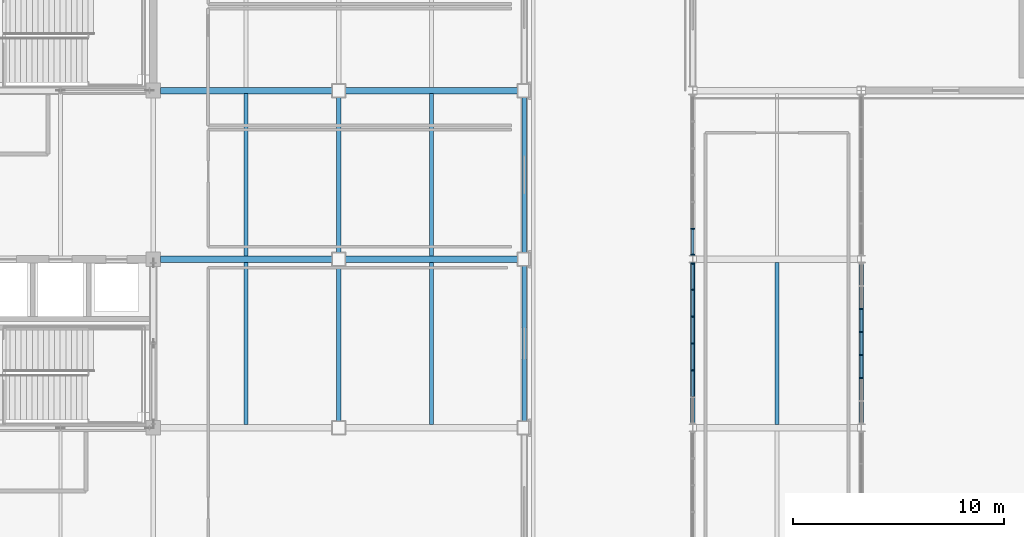
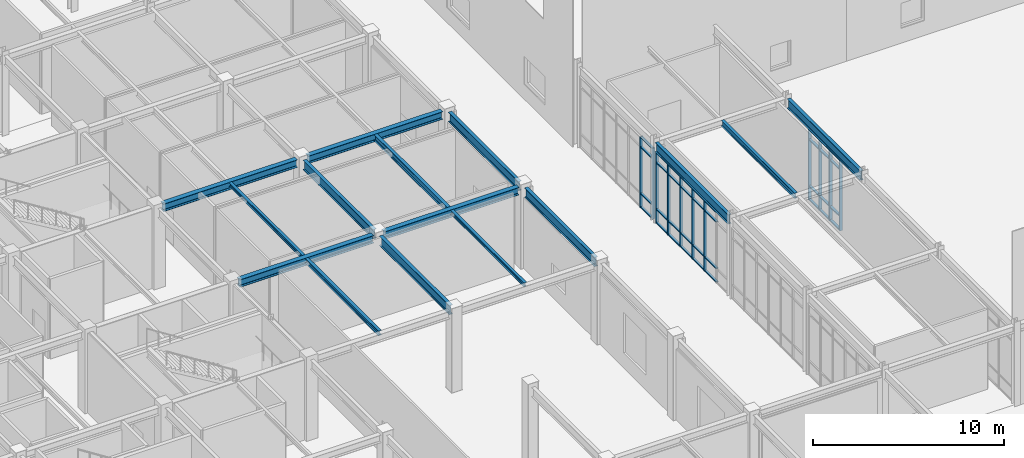
# One storey, part 28 of 119: 47 members, 15 beams, 3 elements without a shape of their own.
"""IFC4 building model written with IfcOpenShell, lengths in metres."""

import ifcopenshell
import ifcopenshell.guid

model = None  # the IFC model being written
_history = None  # IfcOwnerHistory: only IFC2X3 demands one
_inside = {}  # id of a spatial element -> (the spatial element, [elements in it])
_under = {}  # id of a project, library or spatial element -> (it, [spatial elements below it])
_declared = {}  # id of a project -> (the project, [libraries it declares])
_typed = {}  # id of a type object -> (the type object, [elements of that type])
_made_of = {}  # id of a material, layer set ... -> (it, [elements and type objects made of it])


def new_model(schema):
    """Start an empty IFC model of exactly this schema.

    Asked for "IFC4X3", IfcOpenShell would pick the latest addendum, in which some entities
    have other attributes; the version numbers below select the first issue.
    IFC2X3 requires an IfcOwnerHistory on every rooted entity: one is made here for all.
    """
    global model, _history
    if schema == "IFC4X3":
        model = ifcopenshell.file(schema_version=(4, 3, 0, 0))
    else:
        model = ifcopenshell.file(schema=schema)
    _inside.clear()
    _under.clear()
    _declared.clear()
    _typed.clear()
    _made_of.clear()
    _history = None
    if model.schema == "IFC2X3":
        org = make("IfcOrganization", Name="unknown")
        user = make(
            "IfcPersonAndOrganization",
            ThePerson=make("IfcPerson", FamilyName="unknown"),
            TheOrganization=org,
        )
        app = make(
            "IfcApplication",
            ApplicationDeveloper=org,
            Version="unknown",
            ApplicationFullName="unknown",
            ApplicationIdentifier="unknown",
        )
        _history = make(
            "IfcOwnerHistory",
            OwningUser=user,
            OwningApplication=app,
            ChangeAction="ADDED",
            CreationDate=0,
        )
    return model


def make(cls, **values):
    """One entity of the class cls with the attributes given. An attribute that is None is left unset."""
    return model.create_entity(
        cls, **{name: value for name, value in values.items() if value is not None}
    )


def rooted(cls, **values):
    """An entity with a GlobalId (a new one), such as an element, a storey or a relation."""
    return make(cls, GlobalId=ifcopenshell.guid.new(), OwnerHistory=_history, **values)


def si_unit(unit_type, name, prefix=None):
    """IfcSIUnit, for example si_unit("LENGTHUNIT", "METRE", prefix="MILLI")."""
    return make("IfcSIUnit", UnitType=unit_type, Prefix=prefix, Name=name)


def assignment(units):
    """IfcUnitAssignment: the units of a project."""
    return None if units is None else make("IfcUnitAssignment", Units=units)


def point(xyz):
    """IfcCartesianPoint."""
    return None if xyz is None else make("IfcCartesianPoint", Coordinates=xyz)


def direction(xyz):
    """IfcDirection."""
    return None if xyz is None else make("IfcDirection", DirectionRatios=xyz)


def frame(location, z_axis=None, x_axis=None):
    """IfcAxis2Placement3D, a coordinate frame: its origin and axes. An axis left out is left unset."""
    return make(
        "IfcAxis2Placement3D",
        Location=point(location),
        Axis=direction(z_axis),
        RefDirection=direction(x_axis),
    )


def frame_2d(location, x_axis=None):
    """IfcAxis2Placement2D, a coordinate frame in the plane: its origin and x axis."""
    return make(
        "IfcAxis2Placement2D", Location=point(location), RefDirection=direction(x_axis)
    )


def origin():
    """The frame at (0, 0, 0) with its axes left unset."""
    return frame((0.0, 0.0, 0.0))


def origin_2d():
    """The frame at (0, 0) in the plane with its x axis left unset."""
    return frame_2d((0.0, 0.0))


def place(relative_to, where):
    """IfcLocalPlacement: puts the frame where relative to a parent placement (None: the world)."""
    return make(
        "IfcLocalPlacement", PlacementRelTo=relative_to, RelativePlacement=where
    )


def context(
    kind, dimensions, precision=None, world=None, true_north=None, identifier=None
):
    """IfcGeometricRepresentationContext, for example the 3D "Model" context."""
    return make(
        "IfcGeometricRepresentationContext",
        ContextIdentifier=identifier,
        ContextType=kind,
        CoordinateSpaceDimension=dimensions,
        Precision=precision,
        WorldCoordinateSystem=world,
        TrueNorth=true_north,
    )


def subcontext(parent, identifier, kind, view, scale=None):
    """IfcGeometricRepresentationSubContext, for example "Body" below "Model"."""
    return make(
        "IfcGeometricRepresentationSubContext",
        ContextIdentifier=identifier,
        ContextType=kind,
        ParentContext=parent,
        TargetScale=scale,
        TargetView=view,
    )


def project(units=None, contexts=None):
    """IfcProject with its units and contexts."""
    return rooted(
        "IfcProject",
        Name="project",
        RepresentationContexts=contexts,
        UnitsInContext=assignment(units),
    )


def spatial(cls, under=None, at=None, **own):
    """A site, building, storey or space (cls), placed at a placement, below another one or the project."""
    s = rooted(cls, ObjectPlacement=at, **own)
    if under is not None:
        _under.setdefault(under.id(), (under, []))[1].append(s)
    return s


def profile(cls, at=None, kind="AREA", **sizes):
    """A parametric profile (cls). Its sizes go by their IFC names, for example OverallWidth=200.0."""
    return make(cls, ProfileType=kind, Position=at, **sizes)


def rectangle(**sizes):
    """IfcRectangleProfileDef."""
    return profile("IfcRectangleProfileDef", **sizes)


def i_section(**sizes):
    """IfcIShapeProfileDef."""
    return profile("IfcIShapeProfileDef", **sizes)


def extrude(swept, where, along, depth):
    """IfcExtrudedAreaSolid: the profile swept, set in the frame where, extruded along a direction by depth."""
    return make(
        "IfcExtrudedAreaSolid",
        SweptArea=swept,
        Position=where,
        ExtrudedDirection=direction(along),
        Depth=depth,
    )


def shape(context_of_items, identifier, shape_type, items):
    """IfcShapeRepresentation: the items that make up one representation, for example the "Body"."""
    return make(
        "IfcShapeRepresentation",
        ContextOfItems=context_of_items,
        RepresentationIdentifier=identifier,
        RepresentationType=shape_type,
        Items=items,
    )


def material(Name=None, Category=None):
    """IfcMaterial."""
    return make("IfcMaterial", Name=Name, Category=Category)


def material_profile(
    of_material, cross_section, Name=None, Category=None, Priority=None
):
    """IfcMaterialProfile: a cross section and its material."""
    return make(
        "IfcMaterialProfile",
        Name=Name,
        Material=of_material,
        Profile=cross_section,
        Priority=Priority,
        Category=Category,
    )


def profile_set(profiles, Name=None, composite=None):
    """IfcMaterialProfileSet."""
    return make(
        "IfcMaterialProfileSet",
        Name=Name,
        MaterialProfiles=profiles,
        CompositeProfile=composite,
    )


def made_of(thing, what):
    """Note that an element or type object is made of a material, layer set ...; save() writes the relation."""
    if what is not None:
        _made_of.setdefault(what.id(), (what, []))[1].append(thing)
    return thing


def type_object(cls, material=None, **own):
    """A type object (cls), such as IfcWallType, which elements share."""
    return made_of(rooted(cls, **own), material)


def element(
    cls,
    number,
    at=None,
    inside=None,
    cuts=None,
    type_object=None,
    material=None,
    context=None,
    identifier="Body",
    shape_type=None,
    held_by="IfcProductDefinitionShape",
    body=None,
    shapes=None,
    **own,
):
    """One element of the class cls, such as IfcWall. Its Tag is "e" and its number.

    at: its placement. inside: the storey or other place that contains it. cuts: it is an
    opening in that element (IfcRelVoidsElement). A single representation is given by context,
    identifier, shape_type and body (its items); several are given by shapes. held_by: the class
    of the entity that holds the representations. save() writes the other relations.
    """
    e = rooted(cls, Tag="e%d" % number, ObjectPlacement=at, **own)
    if body is not None:
        shapes = [shape(context, identifier, shape_type, body)]
    if shapes is not None:
        e.Representation = make(held_by, Representations=shapes)
    if inside is not None:
        _inside.setdefault(inside.id(), (inside, []))[1].append(e)
    if cuts is not None:
        rooted(
            "IfcRelVoidsElement", RelatingBuildingElement=cuts, RelatedOpeningElement=e
        )
    if type_object is not None:
        _typed.setdefault(type_object.id(), (type_object, []))[1].append(e)
    return made_of(e, material)


def aggregate(whole, parts):
    """IfcRelAggregates: a whole, such as a stair, and the parts it consists of."""
    return rooted("IfcRelAggregates", RelatingObject=whole, RelatedObjects=parts)


def save(model, path):
    """Write the relations noted so far, then the file.

    IfcRelAggregates (storeys below a building ...), IfcRelContainedInSpatialStructure (elements
    in a storey), IfcRelDefinesByType, IfcRelAssociatesMaterial and IfcRelDeclares: one each for
    every whole, place, type object, material and project.
    """
    for whole, parts in _under.values():
        aggregate(whole, parts)
    for where, things in _inside.values():
        rooted(
            "IfcRelContainedInSpatialStructure",
            RelatedElements=things,
            RelatingStructure=where,
        )
    for kind, things in _typed.values():
        rooted("IfcRelDefinesByType", RelatedObjects=things, RelatingType=kind)
    for what, things in _made_of.values():
        rooted("IfcRelAssociatesMaterial", RelatedObjects=things, RelatingMaterial=what)
    for by, libraries in _declared.values():
        rooted("IfcRelDeclares", RelatingContext=by, RelatedDefinitions=libraries)
    model.write(path)


model = new_model("IFC4")

# Units and contexts
model_context = context("Model", 3, precision=1e-05, world=origin(), true_north=direction((0.0, 1.0)))
body_context = subcontext(model_context, "Body", "Model", "MODEL_VIEW")
ifc_project = project(units=[si_unit("LENGTHUNIT", "METRE"), si_unit("AREAUNIT", "SQUARE_METRE"), si_unit("VOLUMEUNIT", "CUBIC_METRE"), si_unit("PLANEANGLEUNIT", "RADIAN"), si_unit("MASSUNIT", "GRAM", prefix="KILO")], contexts=[model_context])

# Site, building, storey
site_placement = place(None, origin())
site = spatial("IfcSite", under=ifc_project, at=site_placement, CompositionType="ELEMENT")
building_placement = place(site_placement, origin())
building = spatial("IfcBuilding", under=site, at=building_placement, Name="Zhaolan Boulevard Law Courts", CompositionType="ELEMENT")
storey_placement = place(building_placement, origin())
storey = spatial("IfcBuildingStorey", under=building, at=storey_placement, Name="L00", CompositionType="ELEMENT", Elevation=0.0)

# Curtain wall, members
ifc_material_1 = material(Name="Thermally broken aluminium and low-E glazing", Category="aluminium")
curtain_wall_type_1 = type_object("IfcCurtainWallType", Name="CURTAIN WALL M14", PredefinedType="USERDEFINED", material=ifc_material_1)
curtain_wall_1_placement = place(storey_placement, origin())
curtain_wall_1 = element("IfcCurtainWall", 1, at=curtain_wall_1_placement, inside=storey, type_object=curtain_wall_type_1, Name="Curtain Wall CW-L00-014", ObjectType="CURTAIN WALL", PredefinedType="USERDEFINED")
ifc_material_2 = material(Name="Fluorocarbon-coated aluminium 6063-T6", Category="aluminium")
ifc_material_profile_1 = material_profile(ifc_material_2, rectangle(XDim=0.179931640625, YDim=0.06494140625, at=origin_2d()), Name="AL65x180")
ifc_profile_set_1 = profile_set([ifc_material_profile_1], Name="Fluorocarbon-coated aluminium 6063-T6")
member_type_1 = type_object("IfcMemberType", Name="CWMULLION 65X180", PredefinedType="MULLION", material=ifc_profile_set_1)
member_1_placement = place(storey_placement, frame((52.0, 53.79052734375, 0.0), z_axis=(0.0, 0.0, 1.0), x_axis=(1.0, 0.0, 0.0)))
member_1 = element("IfcMember", 2, at=member_1_placement, type_object=member_type_1, Name="CW-L00-014 mullion 1", PredefinedType="MULLION", context=body_context, shape_type="SweptSolid", body=[
    extrude(rectangle(XDim=0.179931640625, YDim=0.06494140625, at=origin_2d()), origin(), (0.0, 0.0, 1.0), 4.532958984375),
])
member_2_placement = place(storey_placement, frame((52.0, 52.548583984375, 0.0), z_axis=(0.0, 0.0, 1.0), x_axis=(1.0, 0.0, 0.0)))
member_2 = element("IfcMember", 3, at=member_2_placement, type_object=member_type_1, Name="CW-L00-014 mullion 2", PredefinedType="MULLION", context=body_context, shape_type="SweptSolid", body=[
    extrude(rectangle(XDim=0.179931640625, YDim=0.06494140625, at=origin_2d()), origin(), (0.0, 0.0, 1.0), 4.532958984375),
])
member_3_placement = place(storey_placement, frame((52.0, 51.2744140625, 0.0), z_axis=(0.0, 0.0, 1.0), x_axis=(1.0, 0.0, 0.0)))
member_3 = element("IfcMember", 4, at=member_3_placement, type_object=member_type_1, Name="CW-L00-014 mullion 3", PredefinedType="MULLION", context=body_context, shape_type="SweptSolid", body=[
    extrude(rectangle(XDim=0.179931640625, YDim=0.06494140625, at=origin_2d()), origin(), (0.0, 0.0, 1.0), 4.532958984375),
])
member_4_placement = place(storey_placement, frame((52.0, 50.0, 0.0), z_axis=(0.0, 0.0, 1.0), x_axis=(1.0, 0.0, 0.0)))
member_4 = element("IfcMember", 5, at=member_4_placement, type_object=member_type_1, Name="CW-L00-014 mullion 4", PredefinedType="MULLION", context=body_context, shape_type="SweptSolid", body=[
    extrude(rectangle(XDim=0.179931640625, YDim=0.06494140625, at=origin_2d()), origin(), (0.0, 0.0, 1.0), 4.532958984375),
])
member_5_placement = place(storey_placement, frame((52.0, 48.7255859375, 0.0), z_axis=(0.0, 0.0, 1.0), x_axis=(1.0, 0.0, 0.0)))
member_5 = element("IfcMember", 6, at=member_5_placement, type_object=member_type_1, Name="CW-L00-014 mullion 5", PredefinedType="MULLION", context=body_context, shape_type="SweptSolid", body=[
    extrude(rectangle(XDim=0.179931640625, YDim=0.06494140625, at=origin_2d()), origin(), (0.0, 0.0, 1.0), 4.532958984375),
])

ifc_material_3 = material(Name="Thermally broken aluminium and low-E glazing", Category="aluminium")
curtain_wall_type_2 = type_object("IfcCurtainWallType", Name="CURTAIN WALL M15", PredefinedType="USERDEFINED", material=ifc_material_3)
curtain_wall_2_placement = place(storey_placement, origin())
curtain_wall_2 = element("IfcCurtainWall", 7, at=curtain_wall_2_placement, inside=storey, type_object=curtain_wall_type_2, Name="Curtain Wall CW-L00-015", ObjectType="CURTAIN WALL", PredefinedType="USERDEFINED")
member_6_placement = place(storey_placement, frame((52.0, 55.447265625, 0.0), z_axis=(0.0, 0.0, 1.0), x_axis=(1.0, 0.0, 0.0)))
member_6 = element("IfcMember", 8, at=member_6_placement, type_object=member_type_1, Name="CW-L00-015 mullion 6", PredefinedType="MULLION", context=body_context, shape_type="SweptSolid", body=[
    extrude(rectangle(XDim=0.179931640625, YDim=0.06494140625, at=origin_2d()), origin(), (0.0, 0.0, 1.0), 4.532958984375),
])
member_7_placement = place(storey_placement, frame((52.0, 54.20947265625, 0.0), z_axis=(0.0, 0.0, 1.0), x_axis=(1.0, 0.0, 0.0)))
member_7 = element("IfcMember", 9, at=member_7_placement, type_object=member_type_1, Name="CW-L00-015 mullion 7", PredefinedType="MULLION", context=body_context, shape_type="SweptSolid", body=[
    extrude(rectangle(XDim=0.179931640625, YDim=0.06494140625, at=origin_2d()), origin(), (0.0, 0.0, 1.0), 4.532958984375),
])

ifc_material_4 = material(Name="Thermally broken aluminium and low-E glazing", Category="aluminium")
curtain_wall_type_3 = type_object("IfcCurtainWallType", Name="CURTAIN WALL M18", PredefinedType="USERDEFINED", material=ifc_material_4)
curtain_wall_3_placement = place(storey_placement, origin())
curtain_wall_3 = element("IfcCurtainWall", 10, at=curtain_wall_3_placement, inside=storey, type_object=curtain_wall_type_3, Name="Curtain Wall CW-L00-018", ObjectType="CURTAIN WALL", PredefinedType="USERDEFINED")
member_8_placement = place(storey_placement, frame((60.0, 48.361572265625, 0.0), z_axis=(0.0, 0.0, 1.0), x_axis=(-1.0, 0.0, 0.0)))
member_8 = element("IfcMember", 11, at=member_8_placement, type_object=member_type_1, Name="CW-L00-018 mullion 3", PredefinedType="MULLION", context=body_context, shape_type="SweptSolid", body=[
    extrude(rectangle(XDim=0.179931640625, YDim=0.06494140625, at=origin_2d()), origin(), (0.0, 0.0, 1.0), 4.532958984375),
])
member_9_placement = place(storey_placement, frame((60.0, 49.453857421875, 0.0), z_axis=(0.0, 0.0, 1.0), x_axis=(-1.0, 0.0, 0.0)))
member_9 = element("IfcMember", 12, at=member_9_placement, type_object=member_type_1, Name="CW-L00-018 mullion 4", PredefinedType="MULLION", context=body_context, shape_type="SweptSolid", body=[
    extrude(rectangle(XDim=0.179931640625, YDim=0.06494140625, at=origin_2d()), origin(), (0.0, 0.0, 1.0), 4.532958984375),
])
member_10_placement = place(storey_placement, frame((60.0, 50.546142578125, 0.0), z_axis=(0.0, 0.0, 1.0), x_axis=(-1.0, 0.0, 0.0)))
member_10 = element("IfcMember", 13, at=member_10_placement, type_object=member_type_1, Name="CW-L00-018 mullion 5", PredefinedType="MULLION", context=body_context, shape_type="SweptSolid", body=[
    extrude(rectangle(XDim=0.179931640625, YDim=0.06494140625, at=origin_2d()), origin(), (0.0, 0.0, 1.0), 4.532958984375),
])
member_11_placement = place(storey_placement, frame((60.0, 51.638427734375, 0.0), z_axis=(0.0, 0.0, 1.0), x_axis=(-1.0, 0.0, 0.0)))
member_11 = element("IfcMember", 14, at=member_11_placement, type_object=member_type_1, Name="CW-L00-018 mullion 6", PredefinedType="MULLION", context=body_context, shape_type="SweptSolid", body=[
    extrude(rectangle(XDim=0.179931640625, YDim=0.06494140625, at=origin_2d()), origin(), (0.0, 0.0, 1.0), 4.532958984375),
])

# Member
ifc_material_5 = material(Name="Fluorocarbon-coated aluminium 6063-T6", Category="aluminium")
ifc_material_profile_2 = material_profile(ifc_material_5, rectangle(XDim=0.139892578125, YDim=0.06494140625, at=origin_2d()), Name="AL65x140")
ifc_profile_set_2 = profile_set([ifc_material_profile_2], Name="Fluorocarbon-coated aluminium 6063-T6")
member_type_2 = type_object("IfcMemberType", Name="CWTRANSOM 65X140", PredefinedType="USERDEFINED", material=ifc_profile_set_2)
member_12_placement = place(storey_placement, frame((52.0, 53.758056640625, 0.032470703125), z_axis=(0.0, -1.0, 0.0), x_axis=(1.0, 0.0, 0.0)))
member_12 = element("IfcMember", 15, at=member_12_placement, type_object=member_type_2, Name="CW-L00-014 transom 1.1", ObjectType="TRANSOM", PredefinedType="USERDEFINED", context=body_context, shape_type="SweptSolid", body=[
    extrude(rectangle(XDim=0.139892578125, YDim=0.06494140625, at=origin_2d()), origin(), (0.0, 0.0, 1.0), 1.177001953125),
])

member_13_placement = place(storey_placement, frame((52.0, 53.758056640625, 0.89990234375), z_axis=(0.0, -1.0, 0.0), x_axis=(1.0, 0.0, 0.0)))
member_13 = element("IfcMember", 16, at=member_13_placement, type_object=member_type_2, Name="CW-L00-014 transom 1.2", ObjectType="TRANSOM", PredefinedType="USERDEFINED", context=body_context, shape_type="SweptSolid", body=[
    extrude(rectangle(XDim=0.139892578125, YDim=0.06494140625, at=origin_2d()), origin(), (0.0, 0.0, 1.0), 1.177001953125),
])

member_14_placement = place(storey_placement, frame((52.0, 53.758056640625, 3.883056640625), z_axis=(0.0, -1.0, 0.0), x_axis=(1.0, 0.0, 0.0)))
member_14 = element("IfcMember", 17, at=member_14_placement, type_object=member_type_2, Name="CW-L00-014 transom 1.3", ObjectType="TRANSOM", PredefinedType="USERDEFINED", context=body_context, shape_type="SweptSolid", body=[
    extrude(rectangle(XDim=0.139892578125, YDim=0.06494140625, at=origin_2d()), origin(), (0.0, 0.0, 1.0), 1.177001953125),
])

member_15_placement = place(storey_placement, frame((52.0, 53.758056640625, 4.50048828125), z_axis=(0.0, -1.0, 0.0), x_axis=(1.0, 0.0, 0.0)))
member_15 = element("IfcMember", 18, at=member_15_placement, type_object=member_type_2, Name="CW-L00-014 transom 1.4", ObjectType="TRANSOM", PredefinedType="USERDEFINED", context=body_context, shape_type="SweptSolid", body=[
    extrude(rectangle(XDim=0.139892578125, YDim=0.06494140625, at=origin_2d()), origin(), (0.0, 0.0, 1.0), 1.177001953125),
])

member_16_placement = place(storey_placement, frame((52.0, 52.51611328125, 0.032470703125), z_axis=(0.0, -1.0, 0.0), x_axis=(1.0, 0.0, 0.0)))
member_16 = element("IfcMember", 19, at=member_16_placement, type_object=member_type_2, Name="CW-L00-014 transom 2.1", ObjectType="TRANSOM", PredefinedType="USERDEFINED", context=body_context, shape_type="SweptSolid", body=[
    extrude(rectangle(XDim=0.139892578125, YDim=0.06494140625, at=origin_2d()), origin(), (0.0, 0.0, 1.0), 1.209228515625),
])

member_17_placement = place(storey_placement, frame((52.0, 52.51611328125, 0.89990234375), z_axis=(0.0, -1.0, 0.0), x_axis=(1.0, 0.0, 0.0)))
member_17 = element("IfcMember", 20, at=member_17_placement, type_object=member_type_2, Name="CW-L00-014 transom 2.2", ObjectType="TRANSOM", PredefinedType="USERDEFINED", context=body_context, shape_type="SweptSolid", body=[
    extrude(rectangle(XDim=0.139892578125, YDim=0.06494140625, at=origin_2d()), origin(), (0.0, 0.0, 1.0), 1.209228515625),
])

member_18_placement = place(storey_placement, frame((52.0, 52.51611328125, 3.883056640625), z_axis=(0.0, -1.0, 0.0), x_axis=(1.0, 0.0, 0.0)))
member_18 = element("IfcMember", 21, at=member_18_placement, type_object=member_type_2, Name="CW-L00-014 transom 2.3", ObjectType="TRANSOM", PredefinedType="USERDEFINED", context=body_context, shape_type="SweptSolid", body=[
    extrude(rectangle(XDim=0.139892578125, YDim=0.06494140625, at=origin_2d()), origin(), (0.0, 0.0, 1.0), 1.209228515625),
])

member_19_placement = place(storey_placement, frame((52.0, 52.51611328125, 4.50048828125), z_axis=(0.0, -1.0, 0.0), x_axis=(1.0, 0.0, 0.0)))
member_19 = element("IfcMember", 22, at=member_19_placement, type_object=member_type_2, Name="CW-L00-014 transom 2.4", ObjectType="TRANSOM", PredefinedType="USERDEFINED", context=body_context, shape_type="SweptSolid", body=[
    extrude(rectangle(XDim=0.139892578125, YDim=0.06494140625, at=origin_2d()), origin(), (0.0, 0.0, 1.0), 1.209228515625),
])

member_20_placement = place(storey_placement, frame((52.0, 51.241943359375, 0.032470703125), z_axis=(0.0, -1.0, 0.0), x_axis=(1.0, 0.0, 0.0)))
member_20 = element("IfcMember", 23, at=member_20_placement, type_object=member_type_2, Name="CW-L00-014 transom 3.1", ObjectType="TRANSOM", PredefinedType="USERDEFINED", context=body_context, shape_type="SweptSolid", body=[
    extrude(rectangle(XDim=0.139892578125, YDim=0.06494140625, at=origin_2d()), origin(), (0.0, 0.0, 1.0), 1.20947265625),
])

member_21_placement = place(storey_placement, frame((52.0, 51.241943359375, 0.89990234375), z_axis=(0.0, -1.0, 0.0), x_axis=(1.0, 0.0, 0.0)))
member_21 = element("IfcMember", 24, at=member_21_placement, type_object=member_type_2, Name="CW-L00-014 transom 3.2", ObjectType="TRANSOM", PredefinedType="USERDEFINED", context=body_context, shape_type="SweptSolid", body=[
    extrude(rectangle(XDim=0.139892578125, YDim=0.06494140625, at=origin_2d()), origin(), (0.0, 0.0, 1.0), 1.20947265625),
])

member_22_placement = place(storey_placement, frame((52.0, 51.241943359375, 3.883056640625), z_axis=(0.0, -1.0, 0.0), x_axis=(1.0, 0.0, 0.0)))
member_22 = element("IfcMember", 25, at=member_22_placement, type_object=member_type_2, Name="CW-L00-014 transom 3.3", ObjectType="TRANSOM", PredefinedType="USERDEFINED", context=body_context, shape_type="SweptSolid", body=[
    extrude(rectangle(XDim=0.139892578125, YDim=0.06494140625, at=origin_2d()), origin(), (0.0, 0.0, 1.0), 1.20947265625),
])

member_23_placement = place(storey_placement, frame((52.0, 51.241943359375, 4.50048828125), z_axis=(0.0, -1.0, 0.0), x_axis=(1.0, 0.0, 0.0)))
member_23 = element("IfcMember", 26, at=member_23_placement, type_object=member_type_2, Name="CW-L00-014 transom 3.4", ObjectType="TRANSOM", PredefinedType="USERDEFINED", context=body_context, shape_type="SweptSolid", body=[
    extrude(rectangle(XDim=0.139892578125, YDim=0.06494140625, at=origin_2d()), origin(), (0.0, 0.0, 1.0), 1.20947265625),
])

member_24_placement = place(storey_placement, frame((52.0, 49.967529296875, 0.032470703125), z_axis=(0.0, -1.0, 0.0), x_axis=(1.0, 0.0, 0.0)))
member_24 = element("IfcMember", 27, at=member_24_placement, type_object=member_type_2, Name="CW-L00-014 transom 4.1", ObjectType="TRANSOM", PredefinedType="USERDEFINED", context=body_context, shape_type="SweptSolid", body=[
    extrude(rectangle(XDim=0.139892578125, YDim=0.06494140625, at=origin_2d()), origin(), (0.0, 0.0, 1.0), 1.20947265625),
])

member_25_placement = place(storey_placement, frame((52.0, 49.967529296875, 0.89990234375), z_axis=(0.0, -1.0, 0.0), x_axis=(1.0, 0.0, 0.0)))
member_25 = element("IfcMember", 28, at=member_25_placement, type_object=member_type_2, Name="CW-L00-014 transom 4.2", ObjectType="TRANSOM", PredefinedType="USERDEFINED", context=body_context, shape_type="SweptSolid", body=[
    extrude(rectangle(XDim=0.139892578125, YDim=0.06494140625, at=origin_2d()), origin(), (0.0, 0.0, 1.0), 1.20947265625),
])

member_26_placement = place(storey_placement, frame((52.0, 49.967529296875, 3.883056640625), z_axis=(0.0, -1.0, 0.0), x_axis=(1.0, 0.0, 0.0)))
member_26 = element("IfcMember", 29, at=member_26_placement, type_object=member_type_2, Name="CW-L00-014 transom 4.3", ObjectType="TRANSOM", PredefinedType="USERDEFINED", context=body_context, shape_type="SweptSolid", body=[
    extrude(rectangle(XDim=0.139892578125, YDim=0.06494140625, at=origin_2d()), origin(), (0.0, 0.0, 1.0), 1.20947265625),
])

member_27_placement = place(storey_placement, frame((52.0, 49.967529296875, 4.50048828125), z_axis=(0.0, -1.0, 0.0), x_axis=(1.0, 0.0, 0.0)))
member_27 = element("IfcMember", 30, at=member_27_placement, type_object=member_type_2, Name="CW-L00-014 transom 4.4", ObjectType="TRANSOM", PredefinedType="USERDEFINED", context=body_context, shape_type="SweptSolid", body=[
    extrude(rectangle(XDim=0.139892578125, YDim=0.06494140625, at=origin_2d()), origin(), (0.0, 0.0, 1.0), 1.20947265625),
])

member_28_placement = place(storey_placement, frame((52.0, 48.693115234375, 0.032470703125), z_axis=(0.0, -1.0, 0.0), x_axis=(1.0, 0.0, 0.0)))
member_28 = element("IfcMember", 31, at=member_28_placement, type_object=member_type_2, Name="CW-L00-014 transom 5.1", ObjectType="TRANSOM", PredefinedType="USERDEFINED", context=body_context, shape_type="SweptSolid", body=[
    extrude(rectangle(XDim=0.139892578125, YDim=0.06494140625, at=origin_2d()), origin(), (0.0, 0.0, 1.0), 1.209228515625),
])

member_29_placement = place(storey_placement, frame((52.0, 48.693115234375, 0.89990234375), z_axis=(0.0, -1.0, 0.0), x_axis=(1.0, 0.0, 0.0)))
member_29 = element("IfcMember", 32, at=member_29_placement, type_object=member_type_2, Name="CW-L00-014 transom 5.2", ObjectType="TRANSOM", PredefinedType="USERDEFINED", context=body_context, shape_type="SweptSolid", body=[
    extrude(rectangle(XDim=0.139892578125, YDim=0.06494140625, at=origin_2d()), origin(), (0.0, 0.0, 1.0), 1.209228515625),
])

member_30_placement = place(storey_placement, frame((52.0, 48.693115234375, 3.883056640625), z_axis=(0.0, -1.0, 0.0), x_axis=(1.0, 0.0, 0.0)))
member_30 = element("IfcMember", 33, at=member_30_placement, type_object=member_type_2, Name="CW-L00-014 transom 5.3", ObjectType="TRANSOM", PredefinedType="USERDEFINED", context=body_context, shape_type="SweptSolid", body=[
    extrude(rectangle(XDim=0.139892578125, YDim=0.06494140625, at=origin_2d()), origin(), (0.0, 0.0, 1.0), 1.209228515625),
])

member_31_placement = place(storey_placement, frame((52.0, 48.693115234375, 4.50048828125), z_axis=(0.0, -1.0, 0.0), x_axis=(1.0, 0.0, 0.0)))
member_31 = element("IfcMember", 34, at=member_31_placement, type_object=member_type_2, Name="CW-L00-014 transom 5.4", ObjectType="TRANSOM", PredefinedType="USERDEFINED", context=body_context, shape_type="SweptSolid", body=[
    extrude(rectangle(XDim=0.139892578125, YDim=0.06494140625, at=origin_2d()), origin(), (0.0, 0.0, 1.0), 1.209228515625),
])

aggregate(curtain_wall_1, [member_1, member_2, member_3, member_4, member_5, member_12, member_13, member_14, member_15, member_16, member_17, member_18, member_19, member_20, member_21, member_22, member_23, member_24, member_25, member_26, member_27, member_28, member_29, member_30, member_31])

member_32_placement = place(storey_placement, frame((52.0, 55.41455078125, 0.032470703125), z_axis=(0.0, -1.0, 0.0), x_axis=(1.0, 0.0, 0.0)))
member_32 = element("IfcMember", 35, at=member_32_placement, type_object=member_type_2, Name="CW-L00-015 transom 6.1", ObjectType="TRANSOM", PredefinedType="USERDEFINED", context=body_context, shape_type="SweptSolid", body=[
    extrude(rectangle(XDim=0.139892578125, YDim=0.06494140625, at=origin_2d()), origin(), (0.0, 0.0, 1.0), 1.172607421875),
])

member_33_placement = place(storey_placement, frame((52.0, 55.41455078125, 0.89990234375), z_axis=(0.0, -1.0, 0.0), x_axis=(1.0, 0.0, 0.0)))
member_33 = element("IfcMember", 36, at=member_33_placement, type_object=member_type_2, Name="CW-L00-015 transom 6.2", ObjectType="TRANSOM", PredefinedType="USERDEFINED", context=body_context, shape_type="SweptSolid", body=[
    extrude(rectangle(XDim=0.139892578125, YDim=0.06494140625, at=origin_2d()), origin(), (0.0, 0.0, 1.0), 1.172607421875),
])

member_34_placement = place(storey_placement, frame((52.0, 55.41455078125, 3.883056640625), z_axis=(0.0, -1.0, 0.0), x_axis=(1.0, 0.0, 0.0)))
member_34 = element("IfcMember", 37, at=member_34_placement, type_object=member_type_2, Name="CW-L00-015 transom 6.3", ObjectType="TRANSOM", PredefinedType="USERDEFINED", context=body_context, shape_type="SweptSolid", body=[
    extrude(rectangle(XDim=0.139892578125, YDim=0.06494140625, at=origin_2d()), origin(), (0.0, 0.0, 1.0), 1.172607421875),
])

member_35_placement = place(storey_placement, frame((52.0, 55.41455078125, 4.50048828125), z_axis=(0.0, -1.0, 0.0), x_axis=(1.0, 0.0, 0.0)))
member_35 = element("IfcMember", 38, at=member_35_placement, type_object=member_type_2, Name="CW-L00-015 transom 6.4", ObjectType="TRANSOM", PredefinedType="USERDEFINED", context=body_context, shape_type="SweptSolid", body=[
    extrude(rectangle(XDim=0.139892578125, YDim=0.06494140625, at=origin_2d()), origin(), (0.0, 0.0, 1.0), 1.172607421875),
])

aggregate(curtain_wall_2, [member_6, member_7, member_32, member_33, member_34, member_35])

member_36_placement = place(storey_placement, frame((60.0, 48.39404296875, 0.032470703125), z_axis=(0.0, 1.0, 0.0), x_axis=(-1.0, 0.0, 0.0)))
member_36 = element("IfcMember", 39, at=member_36_placement, type_object=member_type_2, Name="CW-L00-018 transom 3.1", ObjectType="TRANSOM", PredefinedType="USERDEFINED", context=body_context, shape_type="SweptSolid", body=[
    extrude(rectangle(XDim=0.139892578125, YDim=0.06494140625, at=origin_2d()), origin(), (0.0, 0.0, 1.0), 1.02734375),
])

member_37_placement = place(storey_placement, frame((60.0, 48.39404296875, 0.89990234375), z_axis=(0.0, 1.0, 0.0), x_axis=(-1.0, 0.0, 0.0)))
member_37 = element("IfcMember", 40, at=member_37_placement, type_object=member_type_2, Name="CW-L00-018 transom 3.2", ObjectType="TRANSOM", PredefinedType="USERDEFINED", context=body_context, shape_type="SweptSolid", body=[
    extrude(rectangle(XDim=0.139892578125, YDim=0.06494140625, at=origin_2d()), origin(), (0.0, 0.0, 1.0), 1.02734375),
])

member_38_placement = place(storey_placement, frame((60.0, 48.39404296875, 3.883056640625), z_axis=(0.0, 1.0, 0.0), x_axis=(-1.0, 0.0, 0.0)))
member_38 = element("IfcMember", 41, at=member_38_placement, type_object=member_type_2, Name="CW-L00-018 transom 3.3", ObjectType="TRANSOM", PredefinedType="USERDEFINED", context=body_context, shape_type="SweptSolid", body=[
    extrude(rectangle(XDim=0.139892578125, YDim=0.06494140625, at=origin_2d()), origin(), (0.0, 0.0, 1.0), 1.02734375),
])

member_39_placement = place(storey_placement, frame((60.0, 48.39404296875, 4.50048828125), z_axis=(0.0, 1.0, 0.0), x_axis=(-1.0, 0.0, 0.0)))
member_39 = element("IfcMember", 42, at=member_39_placement, type_object=member_type_2, Name="CW-L00-018 transom 3.4", ObjectType="TRANSOM", PredefinedType="USERDEFINED", context=body_context, shape_type="SweptSolid", body=[
    extrude(rectangle(XDim=0.139892578125, YDim=0.06494140625, at=origin_2d()), origin(), (0.0, 0.0, 1.0), 1.02734375),
])

member_40_placement = place(storey_placement, frame((60.0, 49.486328125, 0.032470703125), z_axis=(0.0, 1.0, 0.0), x_axis=(-1.0, 0.0, 0.0)))
member_40 = element("IfcMember", 43, at=member_40_placement, type_object=member_type_2, Name="CW-L00-018 transom 4.1", ObjectType="TRANSOM", PredefinedType="USERDEFINED", context=body_context, shape_type="SweptSolid", body=[
    extrude(rectangle(XDim=0.139892578125, YDim=0.06494140625, at=origin_2d()), origin(), (0.0, 0.0, 1.0), 1.02734375),
])

member_41_placement = place(storey_placement, frame((60.0, 49.486328125, 0.89990234375), z_axis=(0.0, 1.0, 0.0), x_axis=(-1.0, 0.0, 0.0)))
member_41 = element("IfcMember", 44, at=member_41_placement, type_object=member_type_2, Name="CW-L00-018 transom 4.2", ObjectType="TRANSOM", PredefinedType="USERDEFINED", context=body_context, shape_type="SweptSolid", body=[
    extrude(rectangle(XDim=0.139892578125, YDim=0.06494140625, at=origin_2d()), origin(), (0.0, 0.0, 1.0), 1.02734375),
])

member_42_placement = place(storey_placement, frame((60.0, 49.486328125, 3.883056640625), z_axis=(0.0, 1.0, 0.0), x_axis=(-1.0, 0.0, 0.0)))
member_42 = element("IfcMember", 45, at=member_42_placement, type_object=member_type_2, Name="CW-L00-018 transom 4.3", ObjectType="TRANSOM", PredefinedType="USERDEFINED", context=body_context, shape_type="SweptSolid", body=[
    extrude(rectangle(XDim=0.139892578125, YDim=0.06494140625, at=origin_2d()), origin(), (0.0, 0.0, 1.0), 1.02734375),
])

member_43_placement = place(storey_placement, frame((60.0, 49.486328125, 4.50048828125), z_axis=(0.0, 1.0, 0.0), x_axis=(-1.0, 0.0, 0.0)))
member_43 = element("IfcMember", 46, at=member_43_placement, type_object=member_type_2, Name="CW-L00-018 transom 4.4", ObjectType="TRANSOM", PredefinedType="USERDEFINED", context=body_context, shape_type="SweptSolid", body=[
    extrude(rectangle(XDim=0.139892578125, YDim=0.06494140625, at=origin_2d()), origin(), (0.0, 0.0, 1.0), 1.02734375),
])

member_44_placement = place(storey_placement, frame((60.0, 50.57861328125, 0.032470703125), z_axis=(0.0, 1.0, 0.0), x_axis=(-1.0, 0.0, 0.0)))
member_44 = element("IfcMember", 47, at=member_44_placement, type_object=member_type_2, Name="CW-L00-018 transom 5.1", ObjectType="TRANSOM", PredefinedType="USERDEFINED", context=body_context, shape_type="SweptSolid", body=[
    extrude(rectangle(XDim=0.139892578125, YDim=0.06494140625, at=origin_2d()), origin(), (0.0, 0.0, 1.0), 1.02734375),
])

member_45_placement = place(storey_placement, frame((60.0, 50.57861328125, 0.89990234375), z_axis=(0.0, 1.0, 0.0), x_axis=(-1.0, 0.0, 0.0)))
member_45 = element("IfcMember", 48, at=member_45_placement, type_object=member_type_2, Name="CW-L00-018 transom 5.2", ObjectType="TRANSOM", PredefinedType="USERDEFINED", context=body_context, shape_type="SweptSolid", body=[
    extrude(rectangle(XDim=0.139892578125, YDim=0.06494140625, at=origin_2d()), origin(), (0.0, 0.0, 1.0), 1.02734375),
])

member_46_placement = place(storey_placement, frame((60.0, 50.57861328125, 3.883056640625), z_axis=(0.0, 1.0, 0.0), x_axis=(-1.0, 0.0, 0.0)))
member_46 = element("IfcMember", 49, at=member_46_placement, type_object=member_type_2, Name="CW-L00-018 transom 5.3", ObjectType="TRANSOM", PredefinedType="USERDEFINED", context=body_context, shape_type="SweptSolid", body=[
    extrude(rectangle(XDim=0.139892578125, YDim=0.06494140625, at=origin_2d()), origin(), (0.0, 0.0, 1.0), 1.02734375),
])

member_47_placement = place(storey_placement, frame((60.0, 50.57861328125, 4.50048828125), z_axis=(0.0, 1.0, 0.0), x_axis=(-1.0, 0.0, 0.0)))
member_47 = element("IfcMember", 50, at=member_47_placement, type_object=member_type_2, Name="CW-L00-018 transom 5.4", ObjectType="TRANSOM", PredefinedType="USERDEFINED", context=body_context, shape_type="SweptSolid", body=[
    extrude(rectangle(XDim=0.139892578125, YDim=0.06494140625, at=origin_2d()), origin(), (0.0, 0.0, 1.0), 1.02734375),
])

aggregate(curtain_wall_3, [member_8, member_9, member_10, member_11, member_36, member_37, member_38, member_39, member_40, member_41, member_42, member_43, member_44, member_45, member_46, member_47])

# Beams
ifc_material_6 = material(Name="Structural steel Q355B", Category="steel")
ifc_material_profile_3 = material_profile(ifc_material_6, i_section(OverallWidth=0.300048828125, OverallDepth=0.488037109375, WebThickness=0.010986328125, FlangeThickness=0.01806640625, FilletRadius=0.02197265625, at=origin_2d()), Name="HM488x300")
ifc_profile_set_3 = profile_set([ifc_material_profile_3], Name="Structural steel Q355B")
beam_type_1 = type_object("IfcBeamType", Name="GIRDER HM500", PredefinedType="BEAM", material=ifc_profile_set_3)
beam_1_placement = place(storey_placement, frame((26.74609375, 54.0, 4.89404296875), z_axis=(1.0, 0.0, 0.0), x_axis=(0.0, 1.0, 0.0)))
element("IfcBeam", 51, at=beam_1_placement, inside=storey, type_object=beam_type_1, Name="Beam BX-L01-4-5-H", PredefinedType="BEAM", context=body_context, shape_type="SweptSolid", body=[
    extrude(i_section(OverallWidth=0.300048828125, OverallDepth=0.488037109375, WebThickness=0.010986328125, FlangeThickness=0.01806640625, FilletRadius=0.02197265625, at=origin_2d()), origin(), (0.0, 0.0, 1.0), 8.1328125),
])
beam_2_placement = place(storey_placement, frame((35.52099609375, 54.0, 4.89404296875), z_axis=(1.0, 0.0, 0.0), x_axis=(0.0, 1.0, 0.0)))
element("IfcBeam", 52, at=beam_2_placement, inside=storey, type_object=beam_type_1, Name="Beam BX-L01-5-6-H", PredefinedType="BEAM", context=body_context, shape_type="SweptSolid", body=[
    extrude(i_section(OverallWidth=0.300048828125, OverallDepth=0.488037109375, WebThickness=0.010986328125, FlangeThickness=0.01806640625, FilletRadius=0.02197265625, at=origin_2d()), origin(), (0.0, 0.0, 1.0), 8.157958984375),
])
beam_3_placement = place(storey_placement, frame((26.74609375, 62.0, 4.89404296875), z_axis=(1.0, 0.0, 0.0), x_axis=(0.0, 1.0, 0.0)))
element("IfcBeam", 53, at=beam_3_placement, inside=storey, type_object=beam_type_1, Name="Beam BX-L01-4-5-J", PredefinedType="BEAM", context=body_context, shape_type="SweptSolid", body=[
    extrude(i_section(OverallWidth=0.300048828125, OverallDepth=0.488037109375, WebThickness=0.010986328125, FlangeThickness=0.01806640625, FilletRadius=0.02197265625, at=origin_2d()), origin(), (0.0, 0.0, 1.0), 8.1328125),
])
beam_4_placement = place(storey_placement, frame((35.52099609375, 62.0, 4.89404296875), z_axis=(1.0, 0.0, 0.0), x_axis=(0.0, 1.0, 0.0)))
element("IfcBeam", 54, at=beam_4_placement, inside=storey, type_object=beam_type_1, Name="Beam BX-L01-5-6-J", PredefinedType="BEAM", context=body_context, shape_type="SweptSolid", body=[
    extrude(i_section(OverallWidth=0.300048828125, OverallDepth=0.488037109375, WebThickness=0.010986328125, FlangeThickness=0.01806640625, FilletRadius=0.02197265625, at=origin_2d()), origin(), (0.0, 0.0, 1.0), 8.157958984375),
])
ifc_material_7 = material(Name="Structural steel Q355B", Category="steel")
ifc_material_profile_4 = material_profile(ifc_material_7, i_section(OverallWidth=0.199951171875, OverallDepth=0.60009765625, WebThickness=0.010986328125, FlangeThickness=0.01708984375, FilletRadius=0.02001953125, at=origin_2d()), Name="HN600x200")
ifc_profile_set_4 = profile_set([ifc_material_profile_4], Name="Structural steel Q355B")
beam_type_2 = type_object("IfcBeamType", Name="GIRDER HN600", PredefinedType="BEAM", material=ifc_profile_set_4)
for number, where, z_axis, x_axis, name in (
    (55, (35.199951171875, 46.321044921875, 4.837890625), (0.0, 1.0, 0.0), (-1.0, 0.0, 0.0), "Beam BY-L01-5-G-H"),
    (56, (35.199951171875, 54.321044921875, 4.837890625), (0.0, 1.0, 0.0), (-1.0, 0.0, 0.0), "Beam BY-L01-5-H-J"),
    (57, (44.0, 46.321044921875, 4.837890625), (0.0, 1.0, 0.0), (-1.0, 0.0, 0.0), "Beam BY-L01-6-G-H"),
    (58, (44.0, 54.321044921875, 4.837890625), (0.0, 1.0, 0.0), (-1.0, 0.0, 0.0), "Beam BY-L01-6-H-J"),
):
    element("IfcBeam", number, at=place(storey_placement, frame(where, z_axis=z_axis, x_axis=x_axis)), inside=storey, type_object=beam_type_2, Name=name, PredefinedType="BEAM", context=body_context, shape_type="SweptSolid", body=[
        extrude(i_section(OverallWidth=0.199951171875, OverallDepth=0.60009765625, WebThickness=0.010986328125, FlangeThickness=0.01708984375, FilletRadius=0.02001953125, at=origin_2d()), origin(), (0.0, 0.0, 1.0), 7.35791015625),
    ])
for number, where, z_axis, x_axis, name in (
    (59, (52.0, 46.1708984375, 4.847900390625), (0.0, 1.0, 0.0), (-1.0, 0.0, 0.0), "Beam BY-L01-7-G-H"),
    (60, (60.0, 46.1708984375, 4.847900390625), (0.0, 1.0, 0.0), (-1.0, 0.0, 0.0), "Beam BY-L01-8-G-H"),
):
    element("IfcBeam", number, at=place(storey_placement, frame(where, z_axis=z_axis, x_axis=x_axis)), inside=storey, type_object=beam_type_2, Name=name, PredefinedType="BEAM", context=body_context, shape_type="SweptSolid", body=[
        extrude(i_section(OverallWidth=0.199951171875, OverallDepth=0.60009765625, WebThickness=0.010986328125, FlangeThickness=0.01708984375, FilletRadius=0.02001953125, at=origin_2d()), origin(), (0.0, 0.0, 1.0), 7.658203125),
    ])
ifc_material_8 = material(Name="Structural steel Q355B", Category="steel")
ifc_material_profile_5 = material_profile(ifc_material_8, i_section(OverallWidth=0.175048828125, OverallDepth=0.243896484375, WebThickness=0.007080078125, FlangeThickness=0.010986328125, FilletRadius=0.012939453125, at=origin_2d()), Name="HM244x175")
ifc_profile_set_5 = profile_set([ifc_material_profile_5], Name="Structural steel Q355B")
beam_type_3 = type_object("IfcBeamType", Name="JOIST HM244", PredefinedType="JOIST", material=ifc_profile_set_5)
for number, where, z_axis, x_axis, name in (
    (61, (30.800048828125, 54.14599609375, 5.01611328125), (0.0, 1.0, 0.0), (-1.0, 0.0, 0.0), "Composite Joist J-L01-4H"),
    (62, (39.60009765625, 46.14599609375, 5.01611328125), (0.0, 1.0, 0.0), (-1.0, 0.0, 0.0), "Composite Joist J-L01-5G"),
):
    element("IfcBeam", number, at=place(storey_placement, frame(where, z_axis=z_axis, x_axis=x_axis)), inside=storey, type_object=beam_type_3, Name=name, PredefinedType="JOIST", context=body_context, shape_type="SweptSolid", body=[
        extrude(i_section(OverallWidth=0.175048828125, OverallDepth=0.243896484375, WebThickness=0.007080078125, FlangeThickness=0.010986328125, FilletRadius=0.012939453125, at=origin_2d()), origin(), (0.0, 0.0, 1.0), 7.7080078125),
    ])
ifc_material_9 = material(Name="Structural steel Q355B", Category="steel")
ifc_material_profile_6 = material_profile(ifc_material_9, i_section(OverallWidth=0.199951171875, OverallDepth=0.2939453125, WebThickness=0.008056640625, FlangeThickness=0.011962890625, FilletRadius=0.01611328125, at=origin_2d()), Name="HM294x200")
ifc_profile_set_6 = profile_set([ifc_material_profile_6], Name="Structural steel Q355B")
beam_type_4 = type_object("IfcBeamType", Name="JOIST HM294", PredefinedType="JOIST", material=ifc_profile_set_6)
beam_5_placement = place(storey_placement, frame((30.800048828125, 46.14599609375, 4.990966796875), z_axis=(0.0, 1.0, 0.0), x_axis=(-1.0, 0.0, 0.0)))
element("IfcBeam", 63, at=beam_5_placement, inside=storey, type_object=beam_type_4, Name="Composite Joist J-L01-4G", PredefinedType="JOIST", context=body_context, shape_type="SweptSolid", body=[
    extrude(i_section(OverallWidth=0.199951171875, OverallDepth=0.2939453125, WebThickness=0.008056640625, FlangeThickness=0.011962890625, FilletRadius=0.01611328125, at=origin_2d()), origin(), (0.0, 0.0, 1.0), 7.7080078125),
])
ifc_material_10 = material(Name="Structural steel Q355B", Category="steel")
ifc_material_profile_7 = material_profile(ifc_material_10, i_section(OverallWidth=0.175048828125, OverallDepth=0.35009765625, WebThickness=0.007080078125, FlangeThickness=0.010986328125, FilletRadius=0.012939453125, at=origin_2d()), Name="HN350x175")
ifc_profile_set_7 = profile_set([ifc_material_profile_7], Name="Structural steel Q355B")
beam_type_5 = type_object("IfcBeamType", Name="JOIST HN350", PredefinedType="JOIST", material=ifc_profile_set_7)
beam_6_placement = place(storey_placement, frame((56.0, 46.14599609375, 4.972900390625), z_axis=(0.0, 1.0, 0.0), x_axis=(-1.0, 0.0, 0.0)))
element("IfcBeam", 64, at=beam_6_placement, inside=storey, type_object=beam_type_5, Name="Composite Joist J-L01-7G", PredefinedType="JOIST", context=body_context, shape_type="SweptSolid", body=[
    extrude(i_section(OverallWidth=0.175048828125, OverallDepth=0.35009765625, WebThickness=0.007080078125, FlangeThickness=0.010986328125, FilletRadius=0.012939453125, at=origin_2d()), origin(), (0.0, 0.0, 1.0), 7.7080078125),
])
ifc_material_11 = material(Name="Structural steel Q355B", Category="steel")
ifc_material_profile_8 = material_profile(ifc_material_11, i_section(OverallWidth=0.199951171875, OverallDepth=0.39990234375, WebThickness=0.008056640625, FlangeThickness=0.012939453125, FilletRadius=0.013916015625, at=origin_2d()), Name="HN400x200")
ifc_profile_set_8 = profile_set([ifc_material_profile_8], Name="Structural steel Q355B")
beam_type_6 = type_object("IfcBeamType", Name="JOIST HN400", PredefinedType="JOIST", material=ifc_profile_set_8)
beam_7_placement = place(storey_placement, frame((39.60009765625, 54.14599609375, 4.93798828125), z_axis=(0.0, 1.0, 0.0), x_axis=(-1.0, 0.0, 0.0)))
element("IfcBeam", 65, at=beam_7_placement, inside=storey, type_object=beam_type_6, Name="Composite Joist J-L01-5H", PredefinedType="JOIST", context=body_context, shape_type="SweptSolid", body=[
    extrude(i_section(OverallWidth=0.199951171875, OverallDepth=0.39990234375, WebThickness=0.008056640625, FlangeThickness=0.012939453125, FilletRadius=0.013916015625, at=origin_2d()), origin(), (0.0, 0.0, 1.0), 7.7080078125),
])

save(model, "model.ifc")
